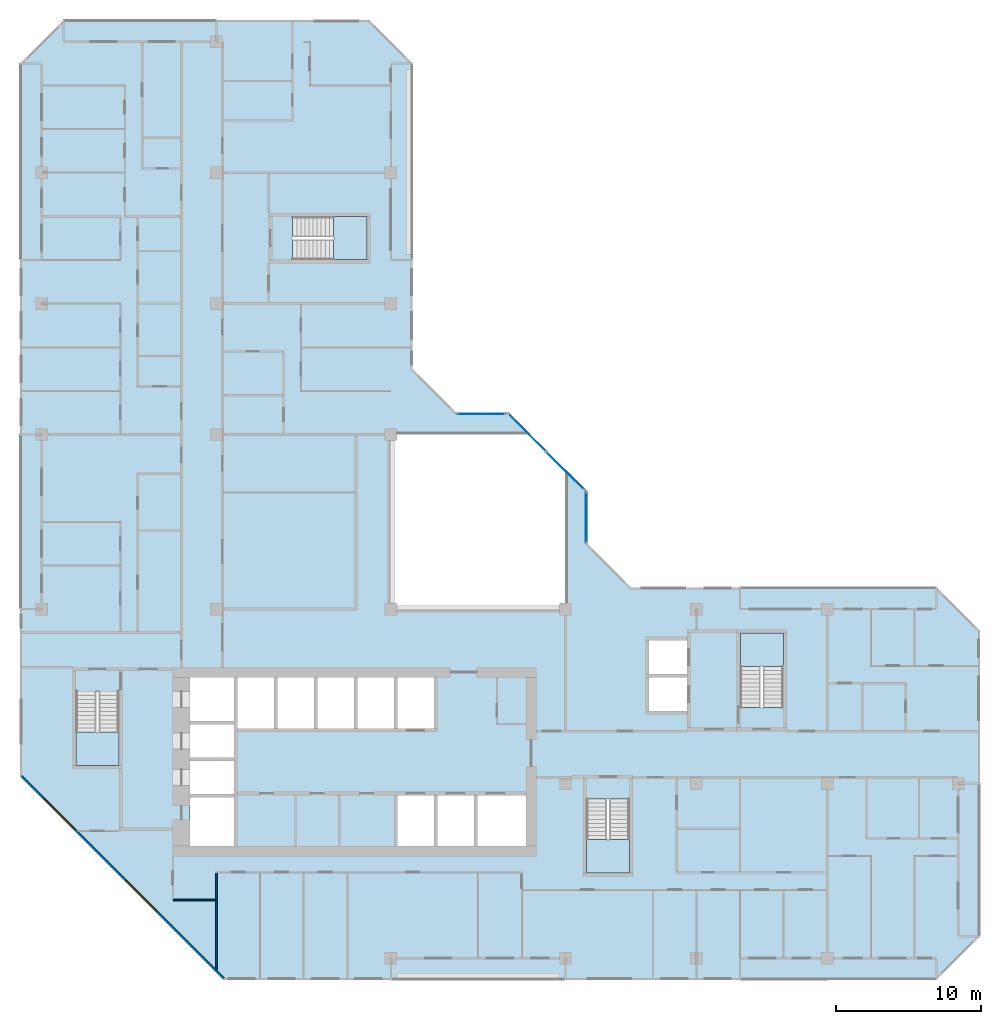
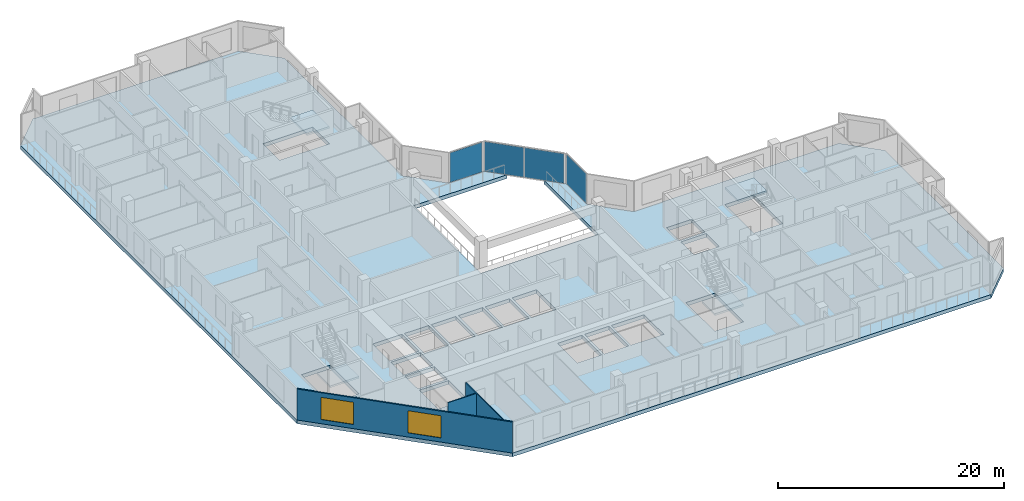
# One storey, part 3 of 16: 5 slabs, 4 plates, 3 walls, 2 windows, 2 openings, 7 elements without a shape of their own.
"""IFC4 building model written with IfcOpenShell, lengths in metres."""

from ifc_helpers import new_model, si_unit, direction, frame, frame_2d, origin, origin_2d, place, context, subcontext, project, spatial, polyline, rectangle, outline, extrude, material, layer, layer_set, type_object, element, fill, aggregate, save


model = new_model("IFC4")

# Units and contexts
model_context = context("Model", 3, precision=1e-05, world=origin(), true_north=direction((0.0, 1.0)))
body_context = subcontext(model_context, "Body", "Model", "MODEL_VIEW")
ifc_project = project(units=[si_unit("LENGTHUNIT", "METRE"), si_unit("AREAUNIT", "SQUARE_METRE"), si_unit("VOLUMEUNIT", "CUBIC_METRE"), si_unit("PLANEANGLEUNIT", "RADIAN"), si_unit("MASSUNIT", "GRAM", prefix="KILO")], contexts=[model_context])

# Site, building, storey
site_placement = place(None, origin())
site = spatial("IfcSite", under=ifc_project, at=site_placement, CompositionType="ELEMENT")
building_placement = place(site_placement, origin())
building = spatial("IfcBuilding", under=site, at=building_placement, Name="Chenar Terraces", CompositionType="ELEMENT")
storey_placement = place(building_placement, frame((0.0, 0.0, 222.89990234375)))
storey = spatial("IfcBuildingStorey", under=building, at=storey_placement, Name="L52", CompositionType="ELEMENT", Elevation=222.89990234375)

# Curtain wall, plate
ifc_material_1 = material(Name="Aluminium framed glazing", Category="aluminium")
ifc_layer_1 = layer(ifc_material_1, 0.14990234375)
ifc_layer_set_1 = layer_set([ifc_layer_1], Name="Aluminium framed glazing")
curtain_wall_type = type_object("IfcCurtainWallType", Name="Atrium mid-zone curtain wall", PredefinedType="NOTDEFINED", material=ifc_layer_set_1)
placement_1 = place(storey_placement, origin())
curtain_wall_1 = element("IfcCurtainWall", 1, at=placement_1, inside=storey, type_object=curtain_wall_type, Name="Atrium mid-zone curtain wall", PredefinedType="NOTDEFINED")
ifc_material_2 = material(Name="Low emissivity laminated glass, solar control coating", Category="glass")
ifc_layer_2 = layer(ifc_material_2, 0.031982421875)
ifc_layer_set_2 = layer_set([ifc_layer_2], Name="Low emissivity laminated glass, solar control coating")
plate_type = type_object("IfcPlateType", Name="Atrium mid-zone glazing panel 32", PredefinedType="CURTAIN_PANEL", material=ifc_layer_set_2)
plate_1_placement = place(storey_placement, frame((37.425048828125, 30.300048828125, 0.070068359375), z_axis=(0.0, 0.0, 1.0), x_axis=(0.0, 1.0, 0.0)))
plate_1 = element("IfcPlate", 2, at=plate_1_placement, type_object=plate_type, Name="CW7-1 panel 1.1", PredefinedType="CURTAIN_PANEL", context=body_context, shape_type="SweptSolid", body=[
    extrude(rectangle(XDim=3.4599609375, YDim=0.031982421875, at=origin_2d()), origin(), (0.0, 0.0, 1.0), 3.2099609375),
])
aggregate(curtain_wall_1, [plate_1])

# Curtain wall, plates
curtain_wall_2 = element("IfcCurtainWall", 3, at=placement_1, inside=storey, type_object=curtain_wall_type, Name="Atrium mid-zone curtain wall", PredefinedType="NOTDEFINED")
plate_2_placement = place(storey_placement, frame((35.978515625, 33.515380859375, 0.070068359375), z_axis=(0.0, 0.0, 1.0), x_axis=(-0.707106781187, 0.707106781187, 0.0)))
plate_2 = element("IfcPlate", 4, at=plate_2_placement, type_object=plate_type, Name="CW7-2 panel 1.1", PredefinedType="CURTAIN_PANEL", context=body_context, shape_type="SweptSolid", body=[
    extrude(rectangle(XDim=3.61328125, YDim=0.031982421875, at=origin_2d()), origin(), (0.0, 0.0, 1.0), 3.2099609375),
])
plate_3_placement = place(storey_placement, frame((33.3740234375, 36.119873046875, 0.070068359375), z_axis=(0.0, 0.0, 1.0), x_axis=(-0.707106781187, 0.707106781187, 0.0)))
plate_3 = element("IfcPlate", 5, at=plate_3_placement, type_object=plate_type, Name="CW7-2 panel 2.1", PredefinedType="CURTAIN_PANEL", context=body_context, shape_type="SweptSolid", body=[
    extrude(rectangle(XDim=3.61328125, YDim=0.031982421875, at=origin_2d()), origin(), (0.0, 0.0, 1.0), 3.2099609375),
])
aggregate(curtain_wall_2, [plate_2, plate_3])

# Curtain wall, plate
curtain_wall_3 = element("IfcCurtainWall", 6, at=placement_1, inside=storey, type_object=curtain_wall_type, Name="Atrium mid-zone curtain wall", PredefinedType="NOTDEFINED")
plate_4_placement = place(storey_placement, frame((30.199951171875, 37.425048828125, 0.070068359375), z_axis=(0.0, 0.0, 1.0), x_axis=(-1.0, 0.0, 0.0)))
plate_4 = element("IfcPlate", 7, at=plate_4_placement, type_object=plate_type, Name="CW7-3 panel 1.1", PredefinedType="CURTAIN_PANEL", context=body_context, shape_type="SweptSolid", body=[
    extrude(rectangle(XDim=3.260009765625, YDim=0.031982421875, at=origin_2d()), origin(), (0.0, 0.0, 1.0), 3.2099609375),
])
aggregate(curtain_wall_3, [plate_4])

# Stair, slab
ifc_material_3 = material(Name="Reinforced concrete C40/50", Category="concrete")
stair_type = type_object("IfcStairType", Name="Core stair 1400 half-turn", PredefinedType="HALF_TURN_STAIR", material=ifc_material_3)
stair_1 = element("IfcStair", 8, at=placement_1, inside=storey, type_object=stair_type, Name="L52 Stair 1", PredefinedType="HALF_TURN_STAIR")
ifc_material_4 = material(Name="Reinforced concrete C40/50", Category="concrete")
ifc_layer_3 = layer(ifc_material_4, 0.199951171875)
ifc_layer_set_3 = layer_set([ifc_layer_3], Name="Reinforced concrete C40/50")
slab_type_1 = type_object("IfcSlabType", Name="Core stair landing 200", PredefinedType="LANDING", material=ifc_layer_set_3)
placement_2 = place(storey_placement, frame((0.0, 0.0, 1.675048828125)))
slab_1 = element("IfcSlab", 9, at=placement_2, type_object=slab_type_1, Name="ST1 landing 1", PredefinedType="LANDING", context=body_context, shape_type="SweptSolid", body=[
    extrude(outline(polyline([(2.35009765625, 15.550048828125), (2.35009765625, 13.25), (5.300048828125, 13.25), (5.300048828125, 15.550048828125), (2.35009765625, 15.550048828125)])), origin(), (0.0, 0.0, 1.0), 0.199951171875),
])
aggregate(stair_1, [slab_1])

stair_2 = element("IfcStair", 10, at=placement_1, inside=storey, type_object=stair_type, Name="L52 Stair 2", PredefinedType="HALF_TURN_STAIR")
slab_2 = element("IfcSlab", 11, at=placement_2, type_object=slab_type_1, Name="ST2 landing 1", PredefinedType="LANDING", context=body_context, shape_type="SweptSolid", body=[
    extrude(outline(polyline([(37.449951171875, 8.14990234375), (37.449951171875, 5.85009765625), (40.39990234375, 5.85009765625), (40.39990234375, 8.14990234375), (37.449951171875, 8.14990234375)])), origin(), (0.0, 0.0, 1.0), 0.199951171875),
])
aggregate(stair_2, [slab_2])

stair_3 = element("IfcStair", 12, at=placement_1, inside=storey, type_object=stair_type, Name="L52 Stair 3", PredefinedType="HALF_TURN_STAIR")
slab_3 = element("IfcSlab", 13, at=placement_2, type_object=slab_type_1, Name="ST3 landing 1", PredefinedType="LANDING", context=body_context, shape_type="SweptSolid", body=[
    extrude(outline(polyline([(50.97509765625, 20.050048828125), (50.97509765625, 22.35009765625), (48.02490234375, 22.35009765625), (48.02490234375, 20.050048828125), (50.97509765625, 20.050048828125)])), origin(), (0.0, 0.0, 1.0), 0.199951171875),
])
aggregate(stair_3, [slab_3])

stair_4 = element("IfcStair", 14, at=placement_1, inside=storey, type_object=stair_type, Name="L52 Stair 4", PredefinedType="HALF_TURN_STAIR")
slab_4 = element("IfcSlab", 15, at=placement_2, type_object=slab_type_1, Name="ST4 landing 1", PredefinedType="LANDING", context=body_context, shape_type="SweptSolid", body=[
    extrude(outline(polyline([(20.050048828125, 48.02490234375), (22.35009765625, 48.02490234375), (22.35009765625, 50.97509765625), (20.050048828125, 50.97509765625), (20.050048828125, 48.02490234375)])), origin(), (0.0, 0.0, 1.0), 0.199951171875),
])
aggregate(stair_4, [slab_4])

# Slab
ifc_material_5 = material(Name="Concrete C40/50", Category="concrete")
ifc_layer_4 = layer(ifc_material_5, 0.39990234375)
ifc_layer_set_4 = layer_set([ifc_layer_4], Name="Concrete C40/50")
slab_type_2 = type_object("IfcSlabType", Name="Floor slab 400 Concrete C40/50", PredefinedType="FLOOR", material=ifc_layer_set_4)
slab_5_placement = place(storey_placement, frame((0.0, 0.0, -0.39990234375)))
element("IfcSlab", 16, at=slab_5_placement, inside=storey, type_object=slab_type_2, Name="Floor slab L52", PredefinedType="FLOOR", context=body_context, shape_type="SweptSolid", body=[
    extrude(outline(polyline([(64.5, 22.5), (64.5, 1.5), (61.5, -1.5), (12.5, -1.5), (-1.5, 12.5), (-1.5, 61.5), (1.5, 64.5), (22.5, 64.5), (25.5, 61.5), (25.5, 40.5), (28.5, 37.5), (32.10009765625, 37.5), (33.60009765625, 36.0), (24.0, 36.0), (24.0, 24.0), (36.0, 24.0), (36.0, 33.60009765625), (37.5, 32.10009765625), (37.5, 28.5), (40.5, 25.5), (61.5, 25.5), (64.5, 22.5)]), holes=[polyline([(13.199951171875, 11.050048828125), (10.199951171875, 11.050048828125), (10.199951171875, 7.699951171875), (13.199951171875, 7.699951171875), (13.199951171875, 11.050048828125)]), polyline([(13.199951171875, 13.550048828125), (10.199951171875, 13.550048828125), (10.199951171875, 11.300048828125), (13.199951171875, 11.300048828125), (13.199951171875, 13.550048828125)]), polyline([(13.199951171875, 16.050048828125), (10.199951171875, 16.050048828125), (10.199951171875, 13.800048828125), (13.199951171875, 13.800048828125), (13.199951171875, 16.050048828125)]), polyline([(2.35009765625, 13.25), (5.300048828125, 13.25), (5.300048828125, 18.35009765625), (2.35009765625, 18.35009765625), (2.35009765625, 13.25)]), polyline([(15.949951171875, 19.300048828125), (13.449951171875, 19.300048828125), (13.449951171875, 15.800048828125), (15.949951171875, 15.800048828125), (15.949951171875, 19.300048828125)]), polyline([(18.699951171875, 19.300048828125), (16.199951171875, 19.300048828125), (16.199951171875, 15.800048828125), (18.699951171875, 15.800048828125), (18.699951171875, 19.300048828125)]), polyline([(21.449951171875, 19.300048828125), (18.949951171875, 19.300048828125), (18.949951171875, 15.800048828125), (21.449951171875, 15.800048828125), (21.449951171875, 19.300048828125)]), polyline([(24.199951171875, 15.800048828125), (24.199951171875, 19.300048828125), (21.699951171875, 19.300048828125), (21.699951171875, 15.800048828125), (24.199951171875, 15.800048828125)]), polyline([(13.199951171875, 16.300048828125), (13.199951171875, 19.300048828125), (10.199951171875, 19.300048828125), (10.199951171875, 16.300048828125), (13.199951171875, 16.300048828125)]), polyline([(22.35009765625, 48.02490234375), (22.35009765625, 50.97509765625), (17.25, 50.97509765625), (17.25, 48.02490234375), (22.35009765625, 48.02490234375)]), polyline([(37.449951171875, 5.85009765625), (40.39990234375, 5.85009765625), (40.39990234375, 10.949951171875), (37.449951171875, 10.949951171875), (37.449951171875, 5.85009765625)]), polyline([(26.949951171875, 11.199951171875), (24.449951171875, 11.199951171875), (24.449951171875, 7.699951171875), (26.949951171875, 7.699951171875), (26.949951171875, 11.199951171875)]), polyline([(29.699951171875, 7.699951171875), (29.699951171875, 11.199951171875), (27.199951171875, 11.199951171875), (27.199951171875, 7.699951171875), (29.699951171875, 7.699951171875)]), polyline([(33.300048828125, 7.699951171875), (33.300048828125, 11.199951171875), (29.949951171875, 11.199951171875), (29.949951171875, 7.699951171875), (33.300048828125, 7.699951171875)]), polyline([(26.949951171875, 19.300048828125), (24.449951171875, 19.300048828125), (24.449951171875, 15.800048828125), (26.949951171875, 15.800048828125), (26.949951171875, 19.300048828125)]), polyline([(44.35009765625, 19.300048828125), (41.75, 19.300048828125), (41.75, 17.0), (44.35009765625, 17.0), (44.35009765625, 19.300048828125)]), polyline([(50.97509765625, 22.35009765625), (48.02490234375, 22.35009765625), (48.02490234375, 17.25), (50.97509765625, 17.25), (50.97509765625, 22.35009765625)]), polyline([(44.35009765625, 19.550048828125), (44.35009765625, 21.85009765625), (41.75, 21.85009765625), (41.75, 19.550048828125), (44.35009765625, 19.550048828125)])]), origin(), (0.0, 0.0, 1.0), 0.39990234375),
])

# Walls
ifc_material_6 = material(Name="Gypsum board on steel studs", Category="steel")
ifc_layer_5 = layer(ifc_material_6, 0.10009765625)
ifc_layer_set_5 = layer_set([ifc_layer_5], Name="Gypsum board on steel studs")
wall_type_1 = type_object("IfcWallType", Name="Gypsum partition 100", PredefinedType="PARTITIONING", material=ifc_layer_set_5)
wall_1_placement = place(storey_placement, frame((9.050048828125, 4.0, 0.0), z_axis=(0.0, 0.0, 1.0), x_axis=(1.0, 0.0, 0.0)))
element("IfcWall", 17, at=wall_1_placement, inside=storey, type_object=wall_type_1, Name="Partition L52-032", PredefinedType="PARTITIONING", context=body_context, shape_type="SweptSolid", body=[
    extrude(rectangle(XDim=2.89990234375, YDim=0.10009765625, at=frame_2d((1.449951171875, 0.0))), origin(), (0.0, 0.0, 1.0), 3.35009765625),
])
wall_2_placement = place(storey_placement, frame((12.0, -0.787841796875, 0.0), z_axis=(0.0, 0.0, 1.0), x_axis=(0.0, 1.0, 0.0)))
element("IfcWall", 18, at=wall_2_placement, inside=storey, type_object=wall_type_1, Name="Partition L52-035", PredefinedType="PARTITIONING", context=body_context, shape_type="SweptSolid", body=[
    extrude(rectangle(XDim=6.637939453125, YDim=0.10009765625, at=frame_2d((3.31884765625, 0.0))), origin(), (0.0, 0.0, 1.0), 3.35009765625),
])

# Wall, openings, windows
ifc_material_7 = material(Name="Terracotta cladding on insulated backing", Category="masonry")
ifc_layer_6 = layer(ifc_material_7, 0.14990234375)
ifc_layer_set_6 = layer_set([ifc_layer_6], Name="Terracotta cladding on insulated backing")
wall_type_2 = type_object("IfcWallType", Name="Terracotta rainscreen wall 150", PredefinedType="SOLIDWALL", material=ifc_layer_set_6)
wall_3_placement = place(storey_placement, frame((-1.447021484375, 12.552978515625, 0.0), z_axis=(0.0, 0.0, 1.0), x_axis=(0.707106781187, -0.707106781187, 0.0)))
wall_3 = element("IfcWall", 19, at=wall_3_placement, inside=storey, type_object=wall_type_2, Name="Terracotta rainscreen wall", PredefinedType="SOLIDWALL", context=body_context, shape_type="SweptSolid", body=[
    extrude(rectangle(XDim=19.799072265625, YDim=0.14990234375, at=frame_2d((9.8994140625, 0.0))), origin(), (0.0, 0.0, 1.0), 3.35009765625),
])
opening_1_placement = place(wall_3_placement, frame((2.21240234375, 0.0, 0.449951171875)))
opening_1 = element("IfcOpeningElement", 20, at=opening_1_placement, cuts=wall_3, Name="Opening W300x240", PredefinedType="OPENING", context=body_context, shape_type="SweptSolid", body=[
    extrude(rectangle(XDim=3.0, YDim=2.39990234375, at=frame_2d((1.5, 1.199951171875))), frame((0.0, 0.0849609375, 0.0), z_axis=(0.0, -1.0, 0.0), x_axis=(1.0, 0.0, 0.0)), (0.0, 0.0, 1.0), 0.169921875),
])
opening_2_placement = place(wall_3_placement, frame((10.215576171875, 0.0, 0.449951171875)))
opening_2 = element("IfcOpeningElement", 21, at=opening_2_placement, cuts=wall_3, Name="Opening W300x240", PredefinedType="OPENING", context=body_context, shape_type="SweptSolid", body=[
    extrude(rectangle(XDim=3.0, YDim=2.39990234375, at=frame_2d((1.5, 1.199951171875))), frame((0.0, 0.0849609375, 0.0), z_axis=(0.0, -1.0, 0.0), x_axis=(1.0, 0.0, 0.0)), (0.0, 0.0, 1.0), 0.169921875),
])
ifc_material_8 = material(Name="Low emissivity double glazing, aluminium frame", Category="aluminium")
window_type = type_object("IfcWindowType", Name="Fixed light 3000 x 2400", PartitioningType="SINGLE_PANEL", PredefinedType="WINDOW", material=ifc_material_8)
window_1_placement = place(opening_1_placement, origin())
window_1 = element("IfcWindow", 22, at=window_1_placement, inside=storey, type_object=window_type, Name="Window", OverallHeight=2.39990234375, OverallWidth=3.0, PartitioningType="SINGLE_PANEL", PredefinedType="WINDOW", context=body_context, shape_type="SweptSolid", body=[
    extrude(rectangle(XDim=3.0, YDim=2.39990234375, at=frame_2d((1.5, 1.199951171875))), frame((0.0, 0.030029296875, 0.0), z_axis=(0.0, -1.0, 0.0), x_axis=(1.0, 0.0, 0.0)), (0.0, 0.0, 1.0), 0.06005859375),
])
fill(opening_1, window_1)
window_2_placement = place(opening_2_placement, origin())
window_2 = element("IfcWindow", 23, at=window_2_placement, inside=storey, type_object=window_type, Name="Window", OverallHeight=2.39990234375, OverallWidth=3.0, PartitioningType="SINGLE_PANEL", PredefinedType="WINDOW", context=body_context, shape_type="SweptSolid", body=[
    extrude(rectangle(XDim=3.0, YDim=2.39990234375, at=frame_2d((1.5, 1.199951171875))), frame((0.0, 0.030029296875, 0.0), z_axis=(0.0, -1.0, 0.0), x_axis=(1.0, 0.0, 0.0)), (0.0, 0.0, 1.0), 0.06005859375),
])
fill(opening_2, window_2)

save(model, "model.ifc")
